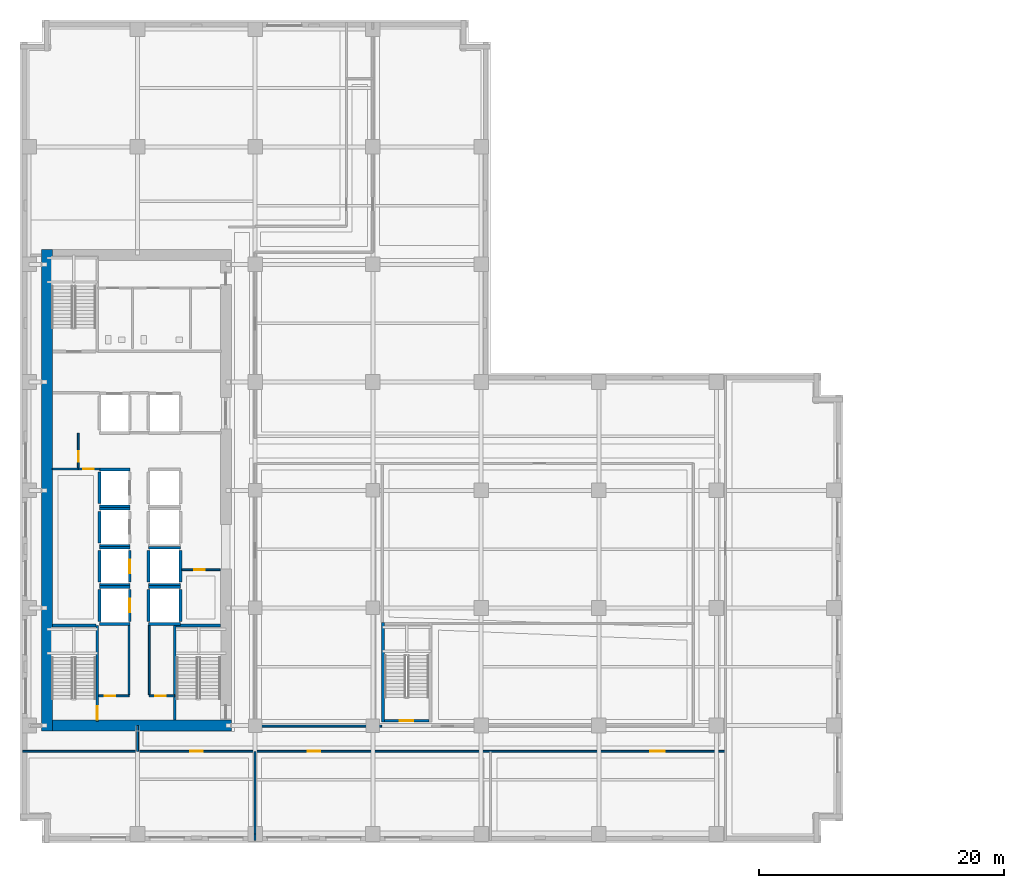
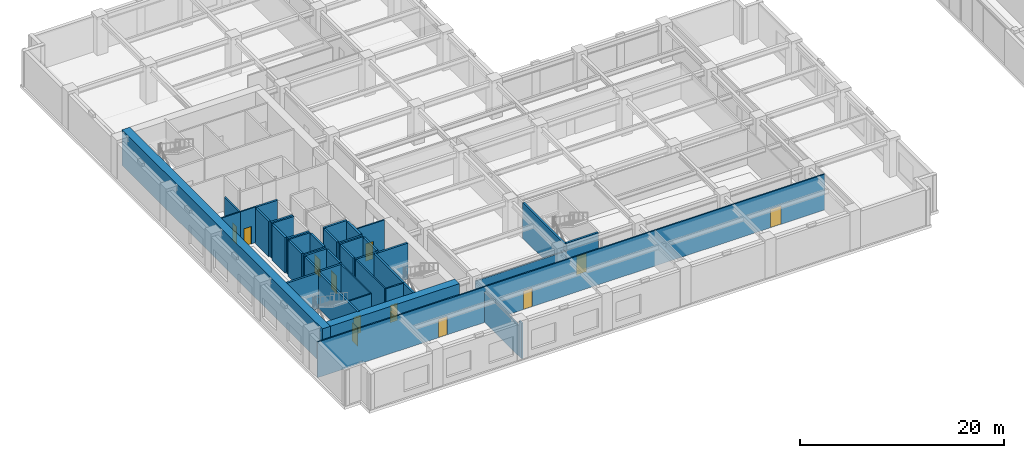
# One storey, part 5 of 24: 43 walls, 12 doors, 12 openings.
"""IFC4 building model written with IfcOpenShell, lengths in metres."""

from ifc_helpers import new_model, si_unit, direction, frame, frame_2d, origin, place, context, subcontext, project, spatial, rectangle, extrude, material, layer, layer_set, type_object, element, fill, save


model = new_model("IFC4")

# Units and contexts
model_context = context("Model", 3, precision=1e-05, world=origin(), true_north=direction((0.0, 1.0)))
body_context = subcontext(model_context, "Body", "Model", "MODEL_VIEW")
ifc_project = project(units=[si_unit("LENGTHUNIT", "METRE"), si_unit("AREAUNIT", "SQUARE_METRE"), si_unit("VOLUMEUNIT", "CUBIC_METRE"), si_unit("PLANEANGLEUNIT", "RADIAN"), si_unit("MASSUNIT", "GRAM", prefix="KILO")], contexts=[model_context])

# Site, building, storey
site_placement = place(None, origin())
site = spatial("IfcSite", under=ifc_project, at=site_placement, CompositionType="ELEMENT")
building_placement = place(site_placement, origin())
building = spatial("IfcBuilding", under=site, at=building_placement, Name="Norrvale University Quadrangle", CompositionType="ELEMENT")
storey_placement = place(building_placement, frame((0.0, 0.0, 15.0)))
storey = spatial("IfcBuildingStorey", under=building, at=storey_placement, Name="L03", CompositionType="ELEMENT", Elevation=15.0)

# Walls
ifc_material_1 = material(Name="Concrete C80/95", Category="concrete")
ifc_layer_1 = layer(ifc_material_1, 0.89990234375, Name="Concrete C80/95")
ifc_layer_set_1 = layer_set([ifc_layer_1], Name="Concrete C80/95")
wall_type_1 = type_object("IfcWallType", Name="Wall Core 900", PredefinedType="SHEAR", material=ifc_layer_set_1)
wall_1_placement = place(storey_placement, frame((2.64990234375, 9.60009765625, 0.0), z_axis=(0.0, 0.0, 1.0), x_axis=(1.0, 0.0, 0.0)))
element("IfcWall", 1, at=wall_1_placement, inside=storey, type_object=wall_type_1, Name="Tower Core Shear Wall L03-S", PredefinedType="SHEAR", context=body_context, shape_type="SweptSolid", body=[
    extrude(rectangle(XDim=14.60009765625, YDim=0.89990234375, at=frame_2d((7.300048828125, 0.0))), origin(), (0.0, 0.0, 1.0), 4.260009765625),
])
wall_2_placement = place(storey_placement, frame((2.199951171875, 9.14990234375, 0.0), z_axis=(0.0, 0.0, 1.0), x_axis=(0.0, 1.0, 0.0)))
element("IfcWall", 2, at=wall_2_placement, inside=storey, type_object=wall_type_1, Name="Tower Core Shear Wall L03-W", PredefinedType="SHEAR", context=body_context, shape_type="SweptSolid", body=[
    extrude(rectangle(XDim=39.300048828125, YDim=0.89990234375, at=frame_2d((19.64990234375, 0.0))), origin(), (0.0, 0.0, 1.0), 4.260009765625),
])

# Wall, opening, door
ifc_material_2 = material(Name="Fire-Rated Gypsum Stud Partition")
ifc_layer_2 = layer(ifc_material_2, 0.14990234375, Name="Fire-Rated Gypsum Stud Partition")
ifc_layer_set_2 = layer_set([ifc_layer_2], Name="Fire-Rated Gypsum Stud Partition")
wall_type_2 = type_object("IfcWallType", Name="Wall Gypsum Corridor 150", PredefinedType="PARTITIONING", material=ifc_layer_set_2)
wall_3_placement = place(storey_placement, frame((6.419921875, 12.02001953125, 0.0), z_axis=(0.0, 0.0, 1.0), x_axis=(1.0, 0.0, 0.0)))
wall_3 = element("IfcWall", 3, at=wall_3_placement, inside=storey, type_object=wall_type_2, Name="Interior Partition WL-L03-SC-NL", PredefinedType="PARTITIONING", context=body_context, shape_type="SweptSolid", body=[
    extrude(rectangle(XDim=2.47998046875, YDim=0.14990234375, at=frame_2d((1.239990234375, 0.0))), origin(), (0.0, 0.0, 1.0), 4.260009765625),
])
opening_1_placement = place(wall_3_placement, frame((0.5, 0.0, 0.0)))
opening_1 = element("IfcOpeningElement", 4, at=opening_1_placement, cuts=wall_3, Name="Opening D10", PredefinedType="OPENING", context=body_context, shape_type="SweptSolid", body=[
    extrude(rectangle(XDim=0.85009765625, YDim=2.10009765625, at=frame_2d((0.425048828125, 1.050048828125))), frame((0.0, 0.0869140625, 0.0), z_axis=(0.0, -1.0, 0.0), x_axis=(1.0, 0.0, 0.0)), (0.0, 0.0, 1.0), 0.173828125),
])
ifc_material_3 = material(Name="Hollow Steel 350W Riser Fire Door", Category="steel")
door_type_1 = type_object("IfcDoorType", Name="Door Riser 850x2100", OperationType="NOTDEFINED", PredefinedType="DOOR", material=ifc_material_3)
door_1_placement = place(opening_1_placement, origin())
door_1 = element("IfcDoor", 5, at=door_1_placement, inside=storey, type_object=door_type_1, Name="Door Riser 850x2100 DR-L03-ELEC", OperationType="SINGLE_SWING_LEFT", OverallHeight=2.10009765625, OverallWidth=0.85009765625, PredefinedType="DOOR", context=body_context, shape_type="SweptSolid", body=[
    extrude(rectangle(XDim=0.85009765625, YDim=2.10009765625, at=frame_2d((0.425048828125, 1.050048828125))), frame((0.0, 0.02490234375, 0.0), z_axis=(0.0, -1.0, 0.0), x_axis=(1.0, 0.0, 0.0)), (0.0, 0.0, 1.0), 0.050048828125),
])
fill(opening_1, door_1)

wall_4_placement = place(storey_placement, frame((10.550048828125, 12.02001953125, 0.0), z_axis=(0.0, 0.0, 1.0), x_axis=(1.0, 0.0, 0.0)))
wall_4 = element("IfcWall", 6, at=wall_4_placement, inside=storey, type_object=wall_type_2, Name="Interior Partition WL-L03-SC-NR", PredefinedType="PARTITIONING", context=body_context, shape_type="SweptSolid", body=[
    extrude(rectangle(XDim=2.079833984375, YDim=0.14990234375, at=frame_2d((1.0400390625, 0.0))), origin(), (0.0, 0.0, 1.0), 4.260009765625),
])
opening_2_placement = place(wall_4_placement, frame((0.5, 0.0, 0.0)))
opening_2 = element("IfcOpeningElement", 7, at=opening_2_placement, cuts=wall_4, Name="Opening D10", PredefinedType="OPENING", context=body_context, shape_type="SweptSolid", body=[
    extrude(rectangle(XDim=0.85009765625, YDim=2.10009765625, at=frame_2d((0.425048828125, 1.050048828125))), frame((0.0, 0.0869140625, 0.0), z_axis=(0.0, -1.0, 0.0), x_axis=(1.0, 0.0, 0.0)), (0.0, 0.0, 1.0), 0.173828125),
])
door_2_placement = place(opening_2_placement, origin())
door_2 = element("IfcDoor", 8, at=door_2_placement, inside=storey, type_object=door_type_1, Name="Door Riser 850x2100 DR-L03-IDF", OperationType="SINGLE_SWING_RIGHT", OverallHeight=2.10009765625, OverallWidth=0.85009765625, PredefinedType="DOOR", context=body_context, shape_type="SweptSolid", body=[
    extrude(rectangle(XDim=0.85009765625, YDim=2.10009765625, at=frame_2d((0.425048828125, 1.050048828125))), frame((0.0, 0.02490234375, 0.0), z_axis=(0.0, -1.0, 0.0), x_axis=(1.0, 0.0, 0.0)), (0.0, 0.0, 1.0), 0.050048828125),
])
fill(opening_2, door_2)

# Walls
for number, where, z_axis, x_axis, name in (
    (9, (8.89990234375, 12.094970703125, 0.0), (0.0, 0.0, 1.0), (0.0, 1.0, 0.0), "Interior Partition WL-L03-SC-WL"),
    (10, (10.550048828125, 12.094970703125, 0.0), (0.0, 0.0, 1.0), (0.0, 1.0, 0.0), "Interior Partition WL-L03-SC-WR"),
):
    element("IfcWall", number, at=place(storey_placement, frame(where, z_axis=z_axis, x_axis=x_axis)), inside=storey, type_object=wall_type_2, Name=name, PredefinedType="PARTITIONING", context=body_context, shape_type="SweptSolid", body=[
        extrude(rectangle(XDim=5.679931640625, YDim=0.14990234375, at=frame_2d((2.83984375, 0.0))), origin(), (0.0, 0.0, 1.0), 4.260009765625),
    ])

# Wall, opening, door
wall_5_placement = place(storey_placement, frame((13.22509765625, 22.320068359375, 0.0), z_axis=(0.0, 0.0, 1.0), x_axis=(1.0, 0.0, 0.0)))
wall_5 = element("IfcWall", 11, at=wall_5_placement, inside=storey, type_object=wall_type_2, Name="Interior Partition WL-L03-JAN-N", PredefinedType="PARTITIONING", context=body_context, shape_type="SweptSolid", body=[
    extrude(rectangle(XDim=3.119873046875, YDim=0.14990234375, at=frame_2d((1.56005859375, 0.0))), origin(), (0.0, 0.0, 1.0), 4.260009765625),
])
opening_3_placement = place(wall_5_placement, frame((1.0, 0.0, 0.0)))
opening_3 = element("IfcOpeningElement", 12, at=opening_3_placement, cuts=wall_5, Name="Opening D10", PredefinedType="OPENING", context=body_context, shape_type="SweptSolid", body=[
    extrude(rectangle(XDim=0.85009765625, YDim=2.10009765625, at=frame_2d((0.425048828125, 1.050048828125))), frame((0.0, 0.0869140625, 0.0), z_axis=(0.0, -1.0, 0.0), x_axis=(1.0, 0.0, 0.0)), (0.0, 0.0, 1.0), 0.173828125),
])
door_3_placement = place(opening_3_placement, origin())
door_3 = element("IfcDoor", 13, at=door_3_placement, inside=storey, type_object=door_type_1, Name="Door Riser 850x2100 DR-L03-JAN", OperationType="SINGLE_SWING_LEFT", OverallHeight=2.10009765625, OverallWidth=0.85009765625, PredefinedType="DOOR", context=body_context, shape_type="SweptSolid", body=[
    extrude(rectangle(XDim=0.85009765625, YDim=2.10009765625, at=frame_2d((0.425048828125, 1.050048828125))), frame((0.0, 0.02490234375, 0.0), z_axis=(0.0, -1.0, 0.0), x_axis=(1.0, 0.0, 0.0)), (0.0, 0.0, 1.0), 0.050048828125),
])
fill(opening_3, door_3)

wall_6_placement = place(storey_placement, frame((4.760009765625, 30.550048828125, 0.0), z_axis=(0.0, 0.0, 1.0), x_axis=(0.0, 1.0, 0.0)))
wall_6 = element("IfcWall", 14, at=wall_6_placement, inside=storey, type_object=wall_type_2, Name="Interior Partition WL-L03-WME-E", PredefinedType="PARTITIONING", context=body_context, shape_type="SweptSolid", body=[
    extrude(rectangle(XDim=2.929931640625, YDim=0.14990234375, at=frame_2d((1.46484375, 0.0))), origin(), (0.0, 0.0, 1.0), 4.260009765625),
])
opening_4_placement = place(wall_6_placement, frame((0.60009765625, 0.0, 0.0)))
opening_4 = element("IfcOpeningElement", 15, at=opening_4_placement, cuts=wall_6, Name="Opening D10", PredefinedType="OPENING", context=body_context, shape_type="SweptSolid", body=[
    extrude(rectangle(XDim=0.85009765625, YDim=2.10009765625, at=frame_2d((0.425048828125, 1.050048828125))), frame((0.0, 0.0869140625, 0.0), z_axis=(0.0, -1.0, 0.0), x_axis=(1.0, 0.0, 0.0)), (0.0, 0.0, 1.0), 0.173828125),
])
door_4_placement = place(opening_4_placement, origin())
door_4 = element("IfcDoor", 16, at=door_4_placement, inside=storey, type_object=door_type_1, Name="Door Riser 850x2100 DR-L03-WME", OperationType="SINGLE_SWING_LEFT", OverallHeight=2.10009765625, OverallWidth=0.85009765625, PredefinedType="DOOR", context=body_context, shape_type="SweptSolid", body=[
    extrude(rectangle(XDim=0.85009765625, YDim=2.10009765625, at=frame_2d((0.425048828125, 1.050048828125))), frame((0.0, 0.02490234375, 0.0), z_axis=(0.0, -1.0, 0.0), x_axis=(1.0, 0.0, 0.0)), (0.0, 0.0, 1.0), 0.050048828125),
])
fill(opening_4, door_4)

wall_7_placement = place(storey_placement, frame((4.760009765625, 30.550048828125, 0.0), z_axis=(0.0, 0.0, 1.0), x_axis=(1.0, 0.0, 0.0)))
wall_7 = element("IfcWall", 17, at=wall_7_placement, inside=storey, type_object=wall_type_2, Name="Interior Partition WL-L03-WST-N", PredefinedType="PARTITIONING", context=body_context, shape_type="SweptSolid", body=[
    extrude(rectangle(XDim=1.760009765625, YDim=0.14990234375, at=frame_2d((0.8798828125, 0.0))), origin(), (0.0, 0.0, 1.0), 4.260009765625),
])
opening_5_placement = place(wall_7_placement, frame((0.39990234375, 0.0, 0.0)))
opening_5 = element("IfcOpeningElement", 18, at=opening_5_placement, cuts=wall_7, Name="Opening D10", PredefinedType="OPENING", context=body_context, shape_type="SweptSolid", body=[
    extrude(rectangle(XDim=0.85009765625, YDim=2.10009765625, at=frame_2d((0.425048828125, 1.050048828125))), frame((0.0, 0.0869140625, 0.0), z_axis=(0.0, -1.0, 0.0), x_axis=(1.0, 0.0, 0.0)), (0.0, 0.0, 1.0), 0.173828125),
])
door_5_placement = place(opening_5_placement, origin())
door_5 = element("IfcDoor", 19, at=door_5_placement, inside=storey, type_object=door_type_1, Name="Door Riser 850x2100 DR-L03-WST", OperationType="SINGLE_SWING_RIGHT", OverallHeight=2.10009765625, OverallWidth=0.85009765625, PredefinedType="DOOR", context=body_context, shape_type="SweptSolid", body=[
    extrude(rectangle(XDim=0.85009765625, YDim=2.10009765625, at=frame_2d((0.425048828125, 1.050048828125))), frame((0.0, 0.02490234375, 0.0), z_axis=(0.0, -1.0, 0.0), x_axis=(1.0, 0.0, 0.0)), (0.0, 0.0, 1.0), 0.050048828125),
])
fill(opening_5, door_5)

# Walls
wall_8_placement = place(storey_placement, frame((2.64990234375, 30.550048828125, 0.0), z_axis=(0.0, 0.0, 1.0), x_axis=(1.0, 0.0, 0.0)))
element("IfcWall", 20, at=wall_8_placement, inside=storey, type_object=wall_type_2, Name="Interior Partition WL-L03-WST-N2", PredefinedType="PARTITIONING", context=body_context, shape_type="SweptSolid", body=[
    extrude(rectangle(XDim=2.110107421875, YDim=0.14990234375, at=frame_2d((1.05517578125, 0.0))), origin(), (0.0, 0.0, 1.0), 4.260009765625),
])
wall_9_placement = place(storey_placement, frame((9.60009765625, 7.5, 0.0), z_axis=(0.0, 0.0, 1.0), x_axis=(0.0, 1.0, 0.0)))
element("IfcWall", 21, at=wall_9_placement, inside=storey, type_object=wall_type_2, Name="Interior Partition WL-L03-CSW-END", PredefinedType="PARTITIONING", context=body_context, shape_type="SweptSolid", body=[
    extrude(rectangle(XDim=2.10009765625, YDim=0.14990234375, at=frame_2d((1.050048828125, 0.0))), origin(), (0.0, 0.0, 1.0), 3.64404296875),
])

# Wall, openings, doors
wall_10_placement = place(storey_placement, frame((0.219970703125, 7.5, 0.0), z_axis=(0.0, 0.0, 1.0), x_axis=(1.0, 0.0, 0.0)))
wall_10 = element("IfcWall", 22, at=wall_10_placement, inside=storey, type_object=wall_type_2, Name="Interior Partition WL-L03-SCW", PredefinedType="PARTITIONING", context=body_context, shape_type="SweptSolid", body=[
    extrude(rectangle(XDim=57.380126953125, YDim=0.14990234375, at=frame_2d((28.68994140625, 0.0))), origin(), (0.0, 0.0, 1.0), 4.260009765625),
])
opening_6_placement = place(wall_10_placement, frame((13.679931640625, 0.0, 0.0)))
opening_6 = element("IfcOpeningElement", 23, at=opening_6_placement, cuts=wall_10, Name="Opening D04", PredefinedType="OPENING", context=body_context, shape_type="SweptSolid", body=[
    extrude(rectangle(XDim=1.0, YDim=2.199951171875, at=frame_2d((0.5, 1.10009765625))), frame((0.0, 0.0869140625, 0.0), z_axis=(0.0, -1.0, 0.0), x_axis=(1.0, 0.0, 0.0)), (0.0, 0.0, 1.0), 0.173828125),
])
opening_7_placement = place(wall_10_placement, frame((23.280029296875, 0.0, 0.0)))
opening_7 = element("IfcOpeningElement", 24, at=opening_7_placement, cuts=wall_10, Name="Opening D04", PredefinedType="OPENING", context=body_context, shape_type="SweptSolid", body=[
    extrude(rectangle(XDim=1.0, YDim=2.199951171875, at=frame_2d((0.5, 1.10009765625))), frame((0.0, 0.0869140625, 0.0), z_axis=(0.0, -1.0, 0.0), x_axis=(1.0, 0.0, 0.0)), (0.0, 0.0, 1.0), 0.173828125),
])
opening_8_placement = place(wall_10_placement, frame((51.22998046875, 0.0, 0.0)))
opening_8 = element("IfcOpeningElement", 25, at=opening_8_placement, cuts=wall_10, Name="Opening D05", PredefinedType="OPENING", context=body_context, shape_type="SweptSolid", body=[
    extrude(rectangle(XDim=1.199951171875, YDim=2.199951171875, at=frame_2d((0.60009765625, 1.10009765625))), frame((0.0, 0.0869140625, 0.0), z_axis=(0.0, -1.0, 0.0), x_axis=(1.0, 0.0, 0.0)), (0.0, 0.0, 1.0), 0.173828125),
])
ifc_material_4 = material(Name="Acoustic Oak Classroom Door", Category="wood")
door_type_2 = type_object("IfcDoorType", Name="Door Classroom 1200x2200", OperationType="NOTDEFINED", PredefinedType="DOOR", material=ifc_material_4)
door_6_placement = place(opening_8_placement, origin())
door_6 = element("IfcDoor", 26, at=door_6_placement, inside=storey, type_object=door_type_2, Name="Door Classroom 1200x2200 DR-L03-S03", OperationType="SINGLE_SWING_LEFT", OverallHeight=2.199951171875, OverallWidth=1.199951171875, PredefinedType="DOOR", context=body_context, shape_type="SweptSolid", body=[
    extrude(rectangle(XDim=1.199951171875, YDim=2.199951171875, at=frame_2d((0.60009765625, 1.10009765625))), frame((0.0, 0.02490234375, 0.0), z_axis=(0.0, -1.0, 0.0), x_axis=(1.0, 0.0, 0.0)), (0.0, 0.0, 1.0), 0.050048828125),
])
fill(opening_8, door_6)
ifc_material_5 = material(Name="Solid-Core Oak Fire Door", Category="wood")
door_type_3 = type_object("IfcDoorType", Name="Door Corridor 1000x2200", OperationType="NOTDEFINED", PredefinedType="DOOR", material=ifc_material_5)
door_7_placement = place(opening_6_placement, origin())
door_7 = element("IfcDoor", 27, at=door_7_placement, inside=storey, type_object=door_type_3, Name="Door Corridor 1000x2200 DR-L03-S01", OperationType="SINGLE_SWING_LEFT", OverallHeight=2.199951171875, OverallWidth=1.0, PredefinedType="DOOR", context=body_context, shape_type="SweptSolid", body=[
    extrude(rectangle(XDim=1.0, YDim=2.199951171875, at=frame_2d((0.5, 1.10009765625))), frame((0.0, 0.02490234375, 0.0), z_axis=(0.0, -1.0, 0.0), x_axis=(1.0, 0.0, 0.0)), (0.0, 0.0, 1.0), 0.050048828125),
])
fill(opening_6, door_7)
door_8_placement = place(opening_7_placement, origin())
door_8 = element("IfcDoor", 28, at=door_8_placement, inside=storey, type_object=door_type_3, Name="Door Corridor 1000x2200 DR-L03-S02", OperationType="SINGLE_SWING_RIGHT", OverallHeight=2.199951171875, OverallWidth=1.0, PredefinedType="DOOR", context=body_context, shape_type="SweptSolid", body=[
    extrude(rectangle(XDim=1.0, YDim=2.199951171875, at=frame_2d((0.5, 1.10009765625))), frame((0.0, 0.02490234375, 0.0), z_axis=(0.0, -1.0, 0.0), x_axis=(1.0, 0.0, 0.0)), (0.0, 0.0, 1.0), 0.050048828125),
])
fill(opening_7, door_8)

# Walls
wall_11_placement = place(storey_placement, frame((19.280029296875, 9.550048828125, 0.0), z_axis=(0.0, 0.0, 1.0), x_axis=(1.0, 0.0, 0.0)))
element("IfcWall", 29, at=wall_11_placement, inside=storey, type_object=wall_type_2, Name="Interior Partition WL-L03-ISLS1", PredefinedType="PARTITIONING", context=body_context, shape_type="SweptSolid", body=[
    extrude(rectangle(XDim=10.244873046875, YDim=0.14990234375, at=frame_2d((5.12255859375, 0.0))), origin(), (0.0, 0.0, 1.0), 3.64404296875),
])
ifc_material_6 = material(Name="Sanitary Chase Gypsum Partition")
ifc_layer_3 = layer(ifc_material_6, 0.1650390625, Name="Sanitary Chase Gypsum Partition")
ifc_layer_set_3 = layer_set([ifc_layer_3], Name="Sanitary Chase Gypsum Partition")
wall_type_3 = type_object("IfcWallType", Name="Wall Gypsum Sanitary 165", PredefinedType="PLUMBINGWALL", material=ifc_layer_set_3)
wall_12_placement = place(storey_placement, frame((19.199951171875, 0.219970703125, 0.0), z_axis=(0.0, 0.0, 1.0), x_axis=(0.0, 1.0, 0.0)))
element("IfcWall", 30, at=wall_12_placement, inside=storey, type_object=wall_type_3, Name="Interior Partition WL-L03-SP01", PredefinedType="PLUMBINGWALL", context=body_context, shape_type="SweptSolid", body=[
    extrude(rectangle(XDim=0.530029296875, YDim=0.1650390625, at=frame_2d((0.26513671875, 0.0))), origin(), (0.0, 0.0, 1.0), 4.260009765625),
])
wall_13_placement = place(storey_placement, frame((19.199951171875, 0.75, 0.0), z_axis=(0.0, 0.0, 1.0), x_axis=(0.0, 1.0, 0.0)))
element("IfcWall", 31, at=wall_13_placement, inside=storey, type_object=wall_type_3, Name="Interior Partition WL-L03-SP01-B2", PredefinedType="PLUMBINGWALL", context=body_context, shape_type="SweptSolid", body=[
    extrude(rectangle(XDim=6.75, YDim=0.1650390625, at=frame_2d((3.375, 0.0))), origin(), (0.0, 0.0, 1.0), 3.64404296875),
])

# Wall, opening, door
ifc_material_7 = material(Name="Concrete Blockwork 20 MPa Fire Shaft", Category="masonry")
ifc_layer_4 = layer(ifc_material_7, 0.219970703125, Name="Concrete Blockwork 20 MPa Fire Shaft")
ifc_layer_set_4 = layer_set([ifc_layer_4], Name="Concrete Blockwork 20 MPa Fire Shaft")
wall_type_4 = type_object("IfcWallType", Name="Wall Shaft 220", PredefinedType="SOLIDWALL", material=ifc_layer_set_4)
wall_14_placement = place(storey_placement, frame((6.31005859375, 9.949951171875, 0.0), z_axis=(0.0, 0.0, 1.0), x_axis=(0.0, 1.0, 0.0)))
wall_14 = element("IfcWall", 32, at=wall_14_placement, inside=storey, type_object=wall_type_4, Name="Stair ST-01 East Shaft Wall L03", PredefinedType="SOLIDWALL", context=body_context, shape_type="SweptSolid", body=[
    extrude(rectangle(XDim=7.81005859375, YDim=0.219970703125, at=frame_2d((3.905029296875, 0.0))), origin(), (0.0, 0.0, 1.0), 4.260009765625),
])
opening_9_placement = place(wall_14_placement, frame((0.139892578125, 0.0, 0.0)))
opening_9 = element("IfcOpeningElement", 33, at=opening_9_placement, cuts=wall_14, Name="Opening D02", PredefinedType="OPENING", context=body_context, shape_type="SweptSolid", body=[
    extrude(rectangle(XDim=1.10009765625, YDim=2.199951171875, at=frame_2d((0.550048828125, 1.10009765625))), frame((0.0, 0.1220703125, 0.0), z_axis=(0.0, -1.0, 0.0), x_axis=(1.0, 0.0, 0.0)), (0.0, 0.0, 1.0), 0.243896484375),
])
ifc_material_8 = material(Name="Hollow Steel 350W Fire Door", Category="steel")
door_type_4 = type_object("IfcDoorType", Name="Door Stair Exit 1100x2200", OperationType="NOTDEFINED", PredefinedType="DOOR", material=ifc_material_8)
door_9_placement = place(opening_9_placement, origin())
door_9 = element("IfcDoor", 34, at=door_9_placement, inside=storey, type_object=door_type_4, Name="Door Stair Exit 1100x2200 DR-L03-ST01", OperationType="SINGLE_SWING_LEFT", OverallHeight=2.199951171875, OverallWidth=1.10009765625, PredefinedType="DOOR", context=body_context, shape_type="SweptSolid", body=[
    extrude(rectangle(XDim=1.10009765625, YDim=2.199951171875, at=frame_2d((0.550048828125, 1.10009765625))), frame((0.0, 0.02490234375, 0.0), z_axis=(0.0, -1.0, 0.0), x_axis=(1.0, 0.0, 0.0)), (0.0, 0.0, 1.0), 0.050048828125),
])
fill(opening_9, door_9)

# Walls
wall_15_placement = place(storey_placement, frame((2.64990234375, 17.760009765625, 0.0), z_axis=(0.0, 0.0, 1.0), x_axis=(1.0, 0.0, 0.0)))
element("IfcWall", 35, at=wall_15_placement, inside=storey, type_object=wall_type_4, Name="Stair ST-01 North Shaft Wall L03", PredefinedType="SOLIDWALL", context=body_context, shape_type="SweptSolid", body=[
    extrude(rectangle(XDim=3.550048828125, YDim=0.219970703125, at=frame_2d((1.77490234375, 0.0))), origin(), (0.0, 0.0, 1.0), 4.260009765625),
])
wall_16_placement = place(storey_placement, frame((12.639892578125, 10.050048828125, 0.0), z_axis=(0.0, 0.0, 1.0), x_axis=(0.0, 1.0, 0.0)))
element("IfcWall", 36, at=wall_16_placement, inside=storey, type_object=wall_type_4, Name="Stair ST-03 West Shaft Wall L03", PredefinedType="SOLIDWALL", context=body_context, shape_type="SweptSolid", body=[
    extrude(rectangle(XDim=7.7099609375, YDim=0.219970703125, at=frame_2d((3.85498046875, 0.0))), origin(), (0.0, 0.0, 1.0), 4.260009765625),
])
wall_17_placement = place(storey_placement, frame((12.75, 17.760009765625, 0.0), z_axis=(0.0, 0.0, 1.0), x_axis=(1.0, 0.0, 0.0)))
element("IfcWall", 37, at=wall_17_placement, inside=storey, type_object=wall_type_4, Name="Stair ST-03 North Shaft Wall L03", PredefinedType="SOLIDWALL", context=body_context, shape_type="SweptSolid", body=[
    extrude(rectangle(XDim=3.60009765625, YDim=0.219970703125, at=frame_2d((1.800048828125, 0.0))), origin(), (0.0, 0.0, 1.0), 4.260009765625),
])

# Wall, opening, door
wall_18_placement = place(storey_placement, frame((29.75, 9.989990234375, 0.0), z_axis=(0.0, 0.0, 1.0), x_axis=(1.0, 0.0, 0.0)))
wall_18 = element("IfcWall", 38, at=wall_18_placement, inside=storey, type_object=wall_type_4, Name="Stair ST-04 South Shaft Wall L03", PredefinedType="SOLIDWALL", context=body_context, shape_type="SweptSolid", body=[
    extrude(rectangle(XDim=3.64990234375, YDim=0.219970703125, at=frame_2d((1.824951171875, 0.0))), origin(), (0.0, 0.0, 1.0), 4.260009765625),
])
opening_10_placement = place(wall_18_placement, frame((1.239990234375, 0.0, 0.0)))
opening_10 = element("IfcOpeningElement", 39, at=opening_10_placement, cuts=wall_18, Name="Opening D02", PredefinedType="OPENING", context=body_context, shape_type="SweptSolid", body=[
    extrude(rectangle(XDim=1.10009765625, YDim=2.199951171875, at=frame_2d((0.550048828125, 1.10009765625))), frame((0.0, 0.1220703125, 0.0), z_axis=(0.0, -1.0, 0.0), x_axis=(1.0, 0.0, 0.0)), (0.0, 0.0, 1.0), 0.243896484375),
])
door_10_placement = place(opening_10_placement, origin())
door_10 = element("IfcDoor", 40, at=door_10_placement, inside=storey, type_object=door_type_4, Name="Door Stair Exit 1100x2200 DR-L03-ST04", OperationType="SINGLE_SWING_LEFT", OverallHeight=2.199951171875, OverallWidth=1.10009765625, PredefinedType="DOOR", context=body_context, shape_type="SweptSolid", body=[
    extrude(rectangle(XDim=1.10009765625, YDim=2.199951171875, at=frame_2d((0.550048828125, 1.10009765625))), frame((0.0, 0.02490234375, 0.0), z_axis=(0.0, -1.0, 0.0), x_axis=(1.0, 0.0, 0.0)), (0.0, 0.0, 1.0), 0.050048828125),
])
fill(opening_10, door_10)

# Walls
wall_19_placement = place(storey_placement, frame((29.639892578125, 9.8798828125, 0.0), z_axis=(0.0, 0.0, 1.0), x_axis=(0.0, 1.0, 0.0)))
element("IfcWall", 41, at=wall_19_placement, inside=storey, type_object=wall_type_4, Name="Stair ST-04 West Shaft Wall L03", PredefinedType="SOLIDWALL", context=body_context, shape_type="SweptSolid", body=[
    extrude(rectangle(XDim=8.14013671875, YDim=0.219970703125, at=frame_2d((4.070068359375, 0.0))), origin(), (0.0, 0.0, 1.0), 4.260009765625),
])
wall_20_placement = place(storey_placement, frame((6.489990234375, 18.110107421875, 0.0), z_axis=(0.0, 0.0, 1.0), x_axis=(0.0, 1.0, 0.0)))
element("IfcWall", 42, at=wall_20_placement, inside=storey, type_object=wall_type_4, Name="Hoistway PL-01 West Wall L03", PredefinedType="SOLIDWALL", context=body_context, shape_type="SweptSolid", body=[
    extrude(rectangle(XDim=2.579833984375, YDim=0.219970703125, at=frame_2d((1.2900390625, 0.0))), origin(), (0.0, 0.0, 1.0), 4.260009765625),
])

# Wall, opening, door
wall_21_placement = place(storey_placement, frame((8.9599609375, 18.110107421875, 0.0), z_axis=(0.0, 0.0, 1.0), x_axis=(0.0, 1.0, 0.0)))
wall_21 = element("IfcWall", 43, at=wall_21_placement, inside=storey, type_object=wall_type_4, Name="Hoistway PL-01 East Wall L03", PredefinedType="SOLIDWALL", context=body_context, shape_type="SweptSolid", body=[
    extrude(rectangle(XDim=2.579833984375, YDim=0.219970703125, at=frame_2d((1.2900390625, 0.0))), origin(), (0.0, 0.0, 1.0), 4.260009765625),
])
opening_11_placement = place(wall_21_placement, frame((0.739990234375, 0.0, 0.0)))
opening_11 = element("IfcOpeningElement", 44, at=opening_11_placement, cuts=wall_21, Name="Opening LD1", PredefinedType="OPENING", context=body_context, shape_type="SweptSolid", body=[
    extrude(rectangle(XDim=1.10009765625, YDim=2.199951171875, at=frame_2d((0.550048828125, 1.10009765625))), frame((0.0, 0.1220703125, 0.0), z_axis=(0.0, -1.0, 0.0), x_axis=(1.0, 0.0, 0.0)), (0.0, 0.0, 1.0), 0.243896484375),
])
ifc_material_9 = material(Name="Stainless Steel 316L Lift Landing Door", Category="steel")
door_type_5 = type_object("IfcDoorType", Name="Door Lift Landing 1100x2200", OperationType="DOUBLE_DOOR_SLIDING", PredefinedType="DOOR", material=ifc_material_9)
door_11_placement = place(opening_11_placement, origin())
door_11 = element("IfcDoor", 45, at=door_11_placement, inside=storey, type_object=door_type_5, Name="Elevator Landing Door DR-L03-PL-01", OperationType="DOUBLE_DOOR_SLIDING", OverallHeight=2.199951171875, OverallWidth=1.10009765625, PredefinedType="DOOR", context=body_context, shape_type="SweptSolid", body=[
    extrude(rectangle(XDim=1.10009765625, YDim=2.199951171875, at=frame_2d((0.550048828125, 1.10009765625))), frame((0.0, 0.02490234375, 0.0), z_axis=(0.0, -1.0, 0.0), x_axis=(1.0, 0.0, 0.0)), (0.0, 0.0, 1.0), 0.050048828125),
])
fill(opening_11, door_11)

# Walls
for number, where, z_axis, x_axis, name in (
    (46, (6.489990234375, 17.889892578125, 0.0), (0.0, 0.0, 1.0), (1.0, 0.0, 0.0), "Hoistway PL-01 South Wall L03"),
    (47, (6.489990234375, 20.909912109375, 0.0), (0.0, 0.0, 1.0), (1.0, 0.0, 0.0), "Hoistway PL-01 North Wall L03"),
):
    element("IfcWall", number, at=place(storey_placement, frame(where, z_axis=z_axis, x_axis=x_axis)), inside=storey, type_object=wall_type_4, Name=name, PredefinedType="SOLIDWALL", context=body_context, shape_type="SweptSolid", body=[
        extrude(rectangle(XDim=2.469970703125, YDim=0.219970703125, at=frame_2d((1.23486328125, 0.0))), origin(), (0.0, 0.0, 1.0), 4.260009765625),
    ])
wall_22_placement = place(storey_placement, frame((6.489990234375, 21.31005859375, 0.0), z_axis=(0.0, 0.0, 1.0), x_axis=(0.0, 1.0, 0.0)))
element("IfcWall", 48, at=wall_22_placement, inside=storey, type_object=wall_type_4, Name="Hoistway PL-02 West Wall L03", PredefinedType="SOLIDWALL", context=body_context, shape_type="SweptSolid", body=[
    extrude(rectangle(XDim=2.579833984375, YDim=0.219970703125, at=frame_2d((1.2900390625, 0.0))), origin(), (0.0, 0.0, 1.0), 4.260009765625),
])

# Wall, opening, door
wall_23_placement = place(storey_placement, frame((8.9599609375, 21.31005859375, 0.0), z_axis=(0.0, 0.0, 1.0), x_axis=(0.0, 1.0, 0.0)))
wall_23 = element("IfcWall", 49, at=wall_23_placement, inside=storey, type_object=wall_type_4, Name="Hoistway PL-02 East Wall L03", PredefinedType="SOLIDWALL", context=body_context, shape_type="SweptSolid", body=[
    extrude(rectangle(XDim=2.579833984375, YDim=0.219970703125, at=frame_2d((1.2900390625, 0.0))), origin(), (0.0, 0.0, 1.0), 4.260009765625),
])
opening_12_placement = place(wall_23_placement, frame((0.739990234375, 0.0, 0.0)))
opening_12 = element("IfcOpeningElement", 50, at=opening_12_placement, cuts=wall_23, Name="Opening LD1", PredefinedType="OPENING", context=body_context, shape_type="SweptSolid", body=[
    extrude(rectangle(XDim=1.10009765625, YDim=2.199951171875, at=frame_2d((0.550048828125, 1.10009765625))), frame((0.0, 0.1220703125, 0.0), z_axis=(0.0, -1.0, 0.0), x_axis=(1.0, 0.0, 0.0)), (0.0, 0.0, 1.0), 0.243896484375),
])
door_12_placement = place(opening_12_placement, origin())
door_12 = element("IfcDoor", 51, at=door_12_placement, inside=storey, type_object=door_type_5, Name="Elevator Landing Door DR-L03-PL-02", OperationType="DOUBLE_DOOR_SLIDING", OverallHeight=2.199951171875, OverallWidth=1.10009765625, PredefinedType="DOOR", context=body_context, shape_type="SweptSolid", body=[
    extrude(rectangle(XDim=1.10009765625, YDim=2.199951171875, at=frame_2d((0.550048828125, 1.10009765625))), frame((0.0, 0.02490234375, 0.0), z_axis=(0.0, -1.0, 0.0), x_axis=(1.0, 0.0, 0.0)), (0.0, 0.0, 1.0), 0.050048828125),
])
fill(opening_12, door_12)

# Walls
for number, where, z_axis, x_axis, name in (
    (52, (6.489990234375, 21.090087890625, 0.0), (0.0, 0.0, 1.0), (1.0, 0.0, 0.0), "Hoistway PL-02 South Wall L03"),
    (53, (6.489990234375, 24.110107421875, 0.0), (0.0, 0.0, 1.0), (1.0, 0.0, 0.0), "Hoistway PL-02 North Wall L03"),
):
    element("IfcWall", number, at=place(storey_placement, frame(where, z_axis=z_axis, x_axis=x_axis)), inside=storey, type_object=wall_type_4, Name=name, PredefinedType="SOLIDWALL", context=body_context, shape_type="SweptSolid", body=[
        extrude(rectangle(XDim=2.469970703125, YDim=0.219970703125, at=frame_2d((1.23486328125, 0.0))), origin(), (0.0, 0.0, 1.0), 4.260009765625),
    ])
wall_24_placement = place(storey_placement, frame((6.489990234375, 24.510009765625, 0.0), z_axis=(0.0, 0.0, 1.0), x_axis=(0.0, 1.0, 0.0)))
element("IfcWall", 54, at=wall_24_placement, inside=storey, type_object=wall_type_4, Name="Hoistway PL-03 West Wall L03", PredefinedType="SOLIDWALL", context=body_context, shape_type="SweptSolid", body=[
    extrude(rectangle(XDim=2.580078125, YDim=0.219970703125, at=frame_2d((1.2900390625, 0.0))), origin(), (0.0, 0.0, 1.0), 4.260009765625),
])
for number, where, z_axis, x_axis, name in (
    (55, (6.489990234375, 24.2900390625, 0.0), (0.0, 0.0, 1.0), (1.0, 0.0, 0.0), "Hoistway PL-03 South Wall L03"),
    (56, (6.489990234375, 27.31005859375, 0.0), (0.0, 0.0, 1.0), (1.0, 0.0, 0.0), "Hoistway PL-03 North Wall L03"),
):
    element("IfcWall", number, at=place(storey_placement, frame(where, z_axis=z_axis, x_axis=x_axis)), inside=storey, type_object=wall_type_4, Name=name, PredefinedType="SOLIDWALL", context=body_context, shape_type="SweptSolid", body=[
        extrude(rectangle(XDim=2.469970703125, YDim=0.219970703125, at=frame_2d((1.23486328125, 0.0))), origin(), (0.0, 0.0, 1.0), 4.260009765625),
    ])
wall_25_placement = place(storey_placement, frame((6.489990234375, 27.7099609375, 0.0), z_axis=(0.0, 0.0, 1.0), x_axis=(0.0, 1.0, 0.0)))
element("IfcWall", 57, at=wall_25_placement, inside=storey, type_object=wall_type_4, Name="Hoistway PL-04 West Wall L03", PredefinedType="SOLIDWALL", context=body_context, shape_type="SweptSolid", body=[
    extrude(rectangle(XDim=2.580078125, YDim=0.219970703125, at=frame_2d((1.2900390625, 0.0))), origin(), (0.0, 0.0, 1.0), 4.260009765625),
])
for number, where, z_axis, x_axis, name in (
    (58, (6.489990234375, 27.489990234375, 0.0), (0.0, 0.0, 1.0), (1.0, 0.0, 0.0), "Hoistway PL-04 South Wall L03"),
    (59, (6.489990234375, 30.510009765625, 0.0), (0.0, 0.0, 1.0), (1.0, 0.0, 0.0), "Hoistway PL-04 North Wall L03"),
):
    element("IfcWall", number, at=place(storey_placement, frame(where, z_axis=z_axis, x_axis=x_axis)), inside=storey, type_object=wall_type_4, Name=name, PredefinedType="SOLIDWALL", context=body_context, shape_type="SweptSolid", body=[
        extrude(rectangle(XDim=2.469970703125, YDim=0.219970703125, at=frame_2d((1.23486328125, 0.0))), origin(), (0.0, 0.0, 1.0), 4.260009765625),
    ])
for number, where, z_axis, x_axis, name in (
    (60, (10.489990234375, 18.110107421875, 0.0), (0.0, 0.0, 1.0), (0.0, 1.0, 0.0), "Hoistway PL-05 West Wall L03"),
    (61, (13.110107421875, 18.110107421875, 0.0), (0.0, 0.0, 1.0), (0.0, 1.0, 0.0), "Hoistway PL-05 East Wall L03"),
):
    element("IfcWall", number, at=place(storey_placement, frame(where, z_axis=z_axis, x_axis=x_axis)), inside=storey, type_object=wall_type_4, Name=name, PredefinedType="SOLIDWALL", context=body_context, shape_type="SweptSolid", body=[
        extrude(rectangle(XDim=2.579833984375, YDim=0.219970703125, at=frame_2d((1.2900390625, 0.0))), origin(), (0.0, 0.0, 1.0), 4.260009765625),
    ])
for number, where, z_axis, x_axis, name in (
    (62, (10.489990234375, 17.889892578125, 0.0), (0.0, 0.0, 1.0), (1.0, 0.0, 0.0), "Hoistway PL-05 South Wall L03"),
    (63, (10.489990234375, 20.909912109375, 0.0), (0.0, 0.0, 1.0), (1.0, 0.0, 0.0), "Hoistway PL-05 North Wall L03"),
):
    element("IfcWall", number, at=place(storey_placement, frame(where, z_axis=z_axis, x_axis=x_axis)), inside=storey, type_object=wall_type_4, Name=name, PredefinedType="SOLIDWALL", context=body_context, shape_type="SweptSolid", body=[
        extrude(rectangle(XDim=2.6201171875, YDim=0.219970703125, at=frame_2d((1.31005859375, 0.0))), origin(), (0.0, 0.0, 1.0), 4.260009765625),
    ])
for number, where, z_axis, x_axis, name in (
    (64, (10.489990234375, 21.31005859375, 0.0), (0.0, 0.0, 1.0), (0.0, 1.0, 0.0), "Hoistway PL-06 West Wall L03"),
    (65, (13.110107421875, 21.31005859375, 0.0), (0.0, 0.0, 1.0), (0.0, 1.0, 0.0), "Hoistway PL-06 East Wall L03"),
):
    element("IfcWall", number, at=place(storey_placement, frame(where, z_axis=z_axis, x_axis=x_axis)), inside=storey, type_object=wall_type_4, Name=name, PredefinedType="SOLIDWALL", context=body_context, shape_type="SweptSolid", body=[
        extrude(rectangle(XDim=2.579833984375, YDim=0.219970703125, at=frame_2d((1.2900390625, 0.0))), origin(), (0.0, 0.0, 1.0), 4.260009765625),
    ])
for number, where, z_axis, x_axis, name in (
    (66, (10.489990234375, 21.090087890625, 0.0), (0.0, 0.0, 1.0), (1.0, 0.0, 0.0), "Hoistway PL-06 South Wall L03"),
    (67, (10.489990234375, 24.110107421875, 0.0), (0.0, 0.0, 1.0), (1.0, 0.0, 0.0), "Hoistway PL-06 North Wall L03"),
):
    element("IfcWall", number, at=place(storey_placement, frame(where, z_axis=z_axis, x_axis=x_axis)), inside=storey, type_object=wall_type_4, Name=name, PredefinedType="SOLIDWALL", context=body_context, shape_type="SweptSolid", body=[
        extrude(rectangle(XDim=2.6201171875, YDim=0.219970703125, at=frame_2d((1.31005859375, 0.0))), origin(), (0.0, 0.0, 1.0), 4.260009765625),
    ])

save(model, "model.ifc")
